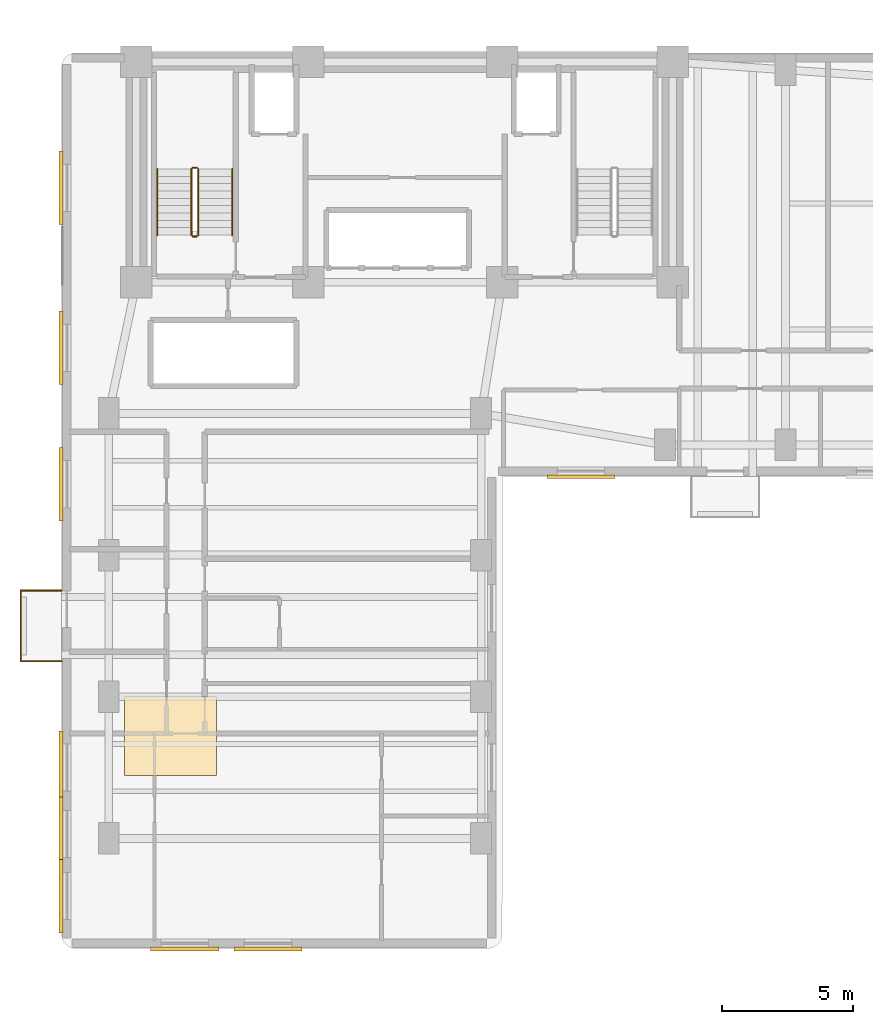
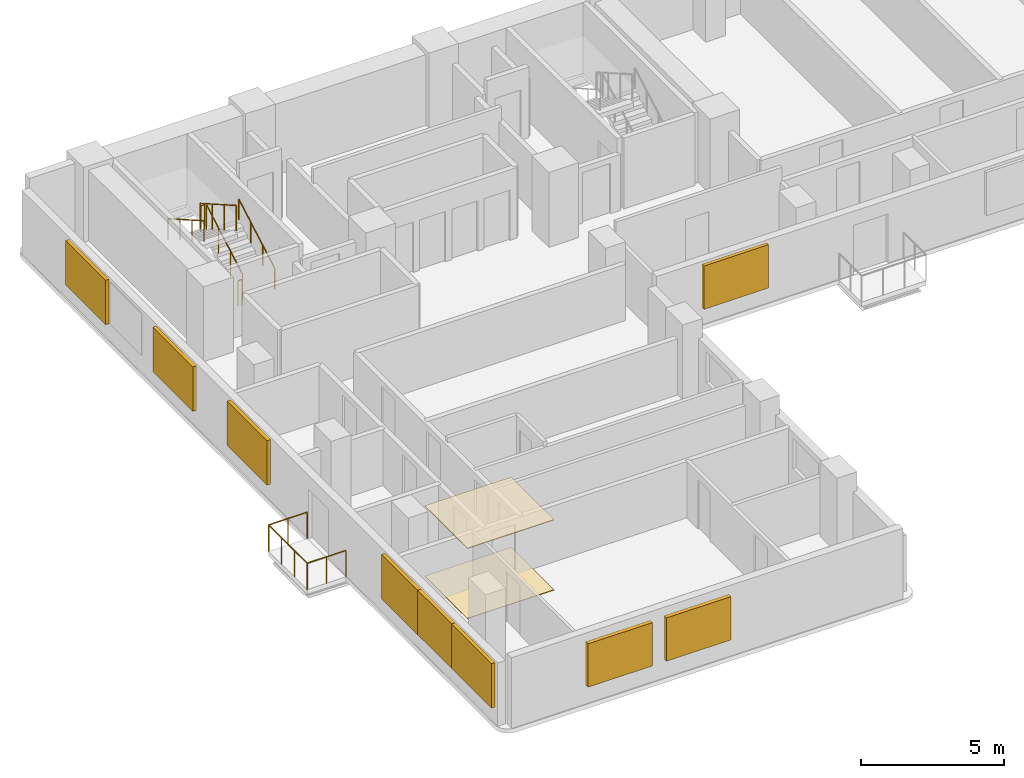
# One storey, part 8 of 11: 9 railings, 9 shading devices, 2 coverings.
"""IFC4 building model written with IfcOpenShell, lengths in metres."""

from ifc_helpers import new_model, si_unit, direction, frame, origin, origin_2d, place, context, subcontext, project, spatial, polyline, rectangle, circle, outline, extrude, material, layer, layer_set, type_object, element, save


model = new_model("IFC4")

# Units and contexts
model_context = context("Model", 3, precision=1e-05, world=origin(), true_north=direction((0.0, 1.0)))
body_context = subcontext(model_context, "Body", "Model", "MODEL_VIEW")
ifc_project = project(units=[si_unit("LENGTHUNIT", "METRE"), si_unit("AREAUNIT", "SQUARE_METRE"), si_unit("VOLUMEUNIT", "CUBIC_METRE"), si_unit("PLANEANGLEUNIT", "RADIAN"), si_unit("MASSUNIT", "GRAM", prefix="KILO")], contexts=[model_context])

# Site, building, storey
site_placement = place(None, origin())
site = spatial("IfcSite", under=ifc_project, at=site_placement, CompositionType="ELEMENT")
building_placement = place(site_placement, origin())
building = spatial("IfcBuilding", under=site, at=building_placement, Name="Kuzgunbayir Cultural Tower", CompositionType="ELEMENT")
storey_placement = place(building_placement, frame((0.0, 0.0, 86.60009765625)))
storey = spatial("IfcBuildingStorey", under=building, at=storey_placement, Name="L24", CompositionType="ELEMENT", Elevation=86.60009765625)

# Coverings
ifc_material_1 = material(Name="Perforated Gypsum Acoustic Tile", Category="gypsum")
ifc_layer_1 = layer(ifc_material_1, 0.02490234375)
ifc_layer_set_1 = layer_set([ifc_layer_1], Name="Perforated Gypsum Acoustic Tile")
covering_type_1 = type_object("IfcCoveringType", Name="COV-CEIL-ACOUSTIC", PredefinedType="CEILING", material=ifc_layer_set_1)
covering_1_placement = place(storey_placement, frame((0.0, 0.0, 2.989990234375)))
element("IfcCovering", 1, at=covering_1_placement, inside=storey, type_object=covering_type_1, Name="L24 Acoustic Soffit Ceiling", PredefinedType="CEILING", context=body_context, shape_type="SweptSolid", body=[
    extrude(outline(polyline([(6.0, 15.0), (9.5, 15.0), (9.5, 18.0), (6.0, 18.0), (6.0, 15.0)])), origin(), (0.0, 0.0, 1.0), 0.030029296875),
])
ifc_material_2 = material(Name="Engineered Anatolian Oak Parquet", Category="wood")
ifc_layer_2 = layer(ifc_material_2, 0.02197265625)
ifc_layer_set_2 = layer_set([ifc_layer_2], Name="Engineered Anatolian Oak Parquet")
covering_type_2 = type_object("IfcCoveringType", Name="COV-FLOOR-OAK", PredefinedType="FLOORING", material=ifc_layer_set_2)
covering_2_placement = place(storey_placement, origin())
element("IfcCovering", 2, at=covering_2_placement, inside=storey, type_object=covering_type_2, Name="L24 Acoustic Floor Finish", PredefinedType="FLOORING", context=body_context, shape_type="SweptSolid", body=[
    extrude(outline(polyline([(6.0, 15.0), (9.5, 15.0), (9.5, 18.0), (6.0, 18.0), (6.0, 15.0)])), origin(), (0.0, 0.0, 1.0), 0.02001953125),
])

# Railings
ifc_material_3 = material(Name="Laminated Glass and Stainless Steel", Category="steel")
ifc_layer_3 = layer(ifc_material_3, 0.080078125)
ifc_layer_set_3 = layer_set([ifc_layer_3], Name="Laminated Glass and Stainless Steel")
railing_type_1 = type_object("IfcRailingType", Name="RLG-BAL-115", PredefinedType="BALUSTRADE", material=ifc_layer_set_3)
railing_1_placement = place(storey_placement, frame((3.60009765625, 19.35009765625, 0.0)))
element("IfcRailing", 3, at=railing_1_placement, inside=storey, type_object=railing_type_1, Name="L24 Balcony Guard BAL-L24-WA2 Segment 1", PredefinedType="BALUSTRADE", context=body_context, shape_type="SweptSolid", body=[
    extrude(circle(Radius=0.02392578125, at=origin_2d()), frame((0.0, 0.0, 1.1259765625), z_axis=(-1.0, 0.0, 0.0), x_axis=(0.0, -1.0, 0.0)), (0.0, 0.0, 1.0), 1.56005859375),
    extrude(circle(Radius=0.02099609375, at=origin_2d()), origin(), (0.0, 0.0, 1.0), 1.101806640625),
    extrude(circle(Radius=0.02099609375, at=origin_2d()), frame((-0.780029296875, 0.0, 0.0)), (0.0, 0.0, 1.0), 1.101806640625),
    extrude(circle(Radius=0.02099609375, at=origin_2d()), frame((-1.56005859375, 0.0, 0.0)), (0.0, 0.0, 1.0), 1.101806640625),
])
railing_2_placement = place(storey_placement, frame((2.0400390625, 19.35009765625, 0.0)))
element("IfcRailing", 4, at=railing_2_placement, inside=storey, type_object=railing_type_1, Name="L24 Balcony Guard BAL-L24-WA2 Segment 2", PredefinedType="BALUSTRADE", context=body_context, shape_type="SweptSolid", body=[
    extrude(circle(Radius=0.02392578125, at=origin_2d()), frame((0.0, 0.0, 1.1259765625), z_axis=(0.0, 1.0, 0.0), x_axis=(-1.0, 0.0, 0.0)), (0.0, 0.0, 1.0), 2.699951171875),
    extrude(circle(Radius=0.02099609375, at=origin_2d()), origin(), (0.0, 0.0, 1.0), 1.101806640625),
    extrude(circle(Radius=0.02099609375, at=origin_2d()), frame((0.0, 0.89990234375, 0.0)), (0.0, 0.0, 1.0), 1.101806640625),
    extrude(circle(Radius=0.02099609375, at=origin_2d()), frame((0.0, 1.800048828125, 0.0)), (0.0, 0.0, 1.0), 1.101806640625),
    extrude(circle(Radius=0.02099609375, at=origin_2d()), frame((0.0, 2.699951171875, 0.0)), (0.0, 0.0, 1.0), 1.101806640625),
])
railing_3_placement = place(storey_placement, frame((2.0400390625, 22.050048828125, 0.0)))
element("IfcRailing", 5, at=railing_3_placement, inside=storey, type_object=railing_type_1, Name="L24 Balcony Guard BAL-L24-WA2 Segment 3", PredefinedType="BALUSTRADE", context=body_context, shape_type="SweptSolid", body=[
    extrude(circle(Radius=0.02392578125, at=origin_2d()), frame((0.0, 0.0, 1.1259765625), z_axis=(1.0, 0.0, 0.0), x_axis=(0.0, 1.0, 0.0)), (0.0, 0.0, 1.0), 1.56005859375),
    extrude(circle(Radius=0.02099609375, at=origin_2d()), origin(), (0.0, 0.0, 1.0), 1.101806640625),
    extrude(circle(Radius=0.02099609375, at=origin_2d()), frame((0.780029296875, 0.0, 0.0)), (0.0, 0.0, 1.0), 1.101806640625),
    extrude(circle(Radius=0.02099609375, at=origin_2d()), frame((1.56005859375, 0.0, 0.0)), (0.0, 0.0, 1.0), 1.101806640625),
])
ifc_material_4 = material(Name="Brushed Stainless Steel", Category="steel")
ifc_layer_4 = layer(ifc_material_4, 0.050048828125)
ifc_layer_set_4 = layer_set([ifc_layer_4], Name="Brushed Stainless Steel")
railing_type_2 = type_object("IfcRailingType", Name="RLG-STAIR-HANDRAIL", PredefinedType="HANDRAIL", material=ifc_layer_set_4)
railing_4_placement = place(storey_placement, frame((10.110107421875, 35.60009765625, 0.159912109375)))
element("IfcRailing", 6, at=railing_4_placement, inside=storey, type_object=railing_type_2, Name="L24 ST-1 stair handrail 1", PredefinedType="HANDRAIL", context=body_context, shape_type="SweptSolid", body=[
    extrude(circle(Radius=0.02392578125, at=origin_2d()), frame((0.0, 0.0, 0.8759765625), z_axis=(0.0, 0.868253494771, 0.496120820787), x_axis=(-1.0, 0.0, 0.0)), (0.0, 0.0, 1.0), 2.90234375),
    extrude(circle(Radius=0.02099609375, at=origin_2d()), origin(), (0.0, 0.0, 1.0), 0.851806640625),
    extrude(circle(Radius=0.02099609375, at=origin_2d()), frame((0.0, 0.840087890625, 0.47998046875)), (0.0, 0.0, 1.0), 0.851806640625),
    extrude(circle(Radius=0.02099609375, at=origin_2d()), frame((0.0, 1.679931640625, 0.9599609375)), (0.0, 0.0, 1.0), 0.851806640625),
    extrude(circle(Radius=0.02099609375, at=origin_2d()), frame((0.0, 2.52001953125, 1.43994140625)), (0.0, 0.0, 1.0), 0.851806640625),
])
railing_5_placement = place(storey_placement, frame((7.25, 38.1201171875, 1.760009765625)))
element("IfcRailing", 7, at=railing_5_placement, inside=storey, type_object=railing_type_2, Name="L24 ST-1 stair handrail 2", PredefinedType="HANDRAIL", context=body_context, shape_type="SweptSolid", body=[
    extrude(circle(Radius=0.02392578125, at=origin_2d()), frame((0.0, 0.0, 0.8759765625), z_axis=(0.0, -0.868253494771, 0.496120820787), x_axis=(1.0, 0.0, 0.0)), (0.0, 0.0, 1.0), 2.90234375),
    extrude(circle(Radius=0.02099609375, at=origin_2d()), origin(), (0.0, 0.0, 1.0), 0.851806640625),
    extrude(circle(Radius=0.02099609375, at=origin_2d()), frame((0.0, -0.840087890625, 0.47998046875)), (0.0, 0.0, 1.0), 0.851806640625),
    extrude(circle(Radius=0.02099609375, at=origin_2d()), frame((0.0, -1.679931640625, 0.9599609375)), (0.0, 0.0, 1.0), 0.851806640625),
    extrude(circle(Radius=0.02099609375, at=origin_2d()), frame((0.0, -2.52001953125, 1.43994140625)), (0.0, 0.0, 1.0), 0.851806640625),
])
ifc_material_5 = material(Name="Painted Steel Balustrade", Category="steel")
ifc_layer_5 = layer(ifc_material_5, 0.06005859375)
ifc_layer_set_5 = layer_set([ifc_layer_5], Name="Painted Steel Balustrade")
railing_type_3 = type_object("IfcRailingType", Name="RLG-WELL-GUARD", PredefinedType="GUARDRAIL", material=ifc_layer_set_5)
railing_6_placement = place(storey_placement, frame((8.81005859375, 35.60009765625, 0.159912109375)))
element("IfcRailing", 8, at=railing_6_placement, inside=storey, type_object=railing_type_3, Name="L24 ST-1 stair guard 1", PredefinedType="GUARDRAIL", context=body_context, shape_type="SweptSolid", body=[
    extrude(circle(Radius=0.02392578125, at=origin_2d()), frame((0.0, 0.0, 1.076171875), z_axis=(0.0, 0.868253494771, 0.496120820787), x_axis=(-1.0, 0.0, 0.0)), (0.0, 0.0, 1.0), 2.90234375),
    extrude(circle(Radius=0.02099609375, at=origin_2d()), origin(), (0.0, 0.0, 1.0), 1.052001953125),
    extrude(circle(Radius=0.02099609375, at=origin_2d()), frame((0.0, 0.840087890625, 0.47998046875)), (0.0, 0.0, 1.0), 1.052001953125),
    extrude(circle(Radius=0.02099609375, at=origin_2d()), frame((0.0, 1.679931640625, 0.9599609375)), (0.0, 0.0, 1.0), 1.052001953125),
    extrude(circle(Radius=0.02099609375, at=origin_2d()), frame((0.0, 2.52001953125, 1.43994140625)), (0.0, 0.0, 1.0), 1.052001953125),
])
railing_7_placement = place(storey_placement, frame((8.760009765625, 38.169921875, 1.599853515625)))
element("IfcRailing", 9, at=railing_7_placement, inside=storey, type_object=railing_type_3, Name="L24 ST-1 stair guard 2", PredefinedType="GUARDRAIL", context=body_context, shape_type="SweptSolid", body=[
    extrude(circle(Radius=0.02392578125, at=origin_2d()), frame((0.0, 0.0, 1.076171875), z_axis=(-1.0, 0.0, 0.0), x_axis=(0.0, -1.0, 0.0)), (0.0, 0.0, 1.0), 0.159912109375),
    extrude(circle(Radius=0.02099609375, at=origin_2d()), origin(), (0.0, 0.0, 1.0), 1.052001953125),
    extrude(circle(Radius=0.02099609375, at=origin_2d()), frame((-0.159912109375, 0.0, 0.0)), (0.0, 0.0, 1.0), 1.052001953125),
])
railing_8_placement = place(storey_placement, frame((8.550048828125, 38.1201171875, 1.760009765625)))
element("IfcRailing", 10, at=railing_8_placement, inside=storey, type_object=railing_type_3, Name="L24 ST-1 stair guard 3", PredefinedType="GUARDRAIL", context=body_context, shape_type="SweptSolid", body=[
    extrude(circle(Radius=0.02392578125, at=origin_2d()), frame((0.0, 0.0, 1.076171875), z_axis=(0.0, -0.868253494771, 0.496120820787), x_axis=(1.0, 0.0, 0.0)), (0.0, 0.0, 1.0), 2.90234375),
    extrude(circle(Radius=0.02099609375, at=origin_2d()), origin(), (0.0, 0.0, 1.0), 1.052001953125),
    extrude(circle(Radius=0.02099609375, at=origin_2d()), frame((0.0, -0.840087890625, 0.47998046875)), (0.0, 0.0, 1.0), 1.052001953125),
    extrude(circle(Radius=0.02099609375, at=origin_2d()), frame((0.0, -1.679931640625, 0.9599609375)), (0.0, 0.0, 1.0), 1.052001953125),
    extrude(circle(Radius=0.02099609375, at=origin_2d()), frame((0.0, -2.52001953125, 1.43994140625)), (0.0, 0.0, 1.0), 1.052001953125),
])
railing_9_placement = place(storey_placement, frame((8.760009765625, 35.550048828125, 0.0)))
element("IfcRailing", 11, at=railing_9_placement, inside=storey, type_object=railing_type_3, Name="L24 ST-1 stair guard 4", PredefinedType="GUARDRAIL", context=body_context, shape_type="SweptSolid", body=[
    extrude(circle(Radius=0.02392578125, at=origin_2d()), frame((0.0, 0.0, 1.076171875), z_axis=(-1.0, 0.0, 0.0), x_axis=(0.0, -1.0, 0.0)), (0.0, 0.0, 1.0), 0.159912109375),
    extrude(circle(Radius=0.02099609375, at=origin_2d()), origin(), (0.0, 0.0, 1.0), 1.052001953125),
    extrude(circle(Radius=0.02099609375, at=origin_2d()), frame((-0.159912109375, 0.0, 0.0)), (0.0, 0.0, 1.0), 1.052001953125),
])

# Shading devices
ifc_material_6 = material(Name="Perforated Bronze-Anodised Aluminium", Category="aluminium")
shading_device_type_1 = type_object("IfcShadingDeviceType", Name="SHD-SOLAR-BRONZE", PredefinedType="JALOUSIE", material=ifc_material_6)
for number, where, z_axis, x_axis, name in (
    (12, (3.580078125, 12.77001953125, 0.699951171875), (0.0, 0.0, 1.0), (1.0, 0.0, 0.0), "L24 Perforated Bronze Solar Screen WAW1"),
    (13, (3.580078125, 10.39990234375, 0.699951171875), (0.0, 0.0, 1.0), (1.0, 0.0, 0.0), "L24 Perforated Bronze Solar Screen WAW6"),
    (14, (3.580078125, 15.300048828125, 0.699951171875), (0.0, 0.0, 1.0), (1.0, 0.0, 0.0), "L24 Perforated Bronze Solar Screen WAW7"),
    (15, (3.580078125, 26.10009765625, 0.699951171875), (0.0, 0.0, 1.0), (1.0, 0.0, 0.0), "L24 Perforated Bronze Solar Screen WAW8"),
    (16, (3.580078125, 31.300048828125, 0.699951171875), (0.0, 0.0, 1.0), (1.0, 0.0, 0.0), "L24 Perforated Bronze Solar Screen WAW9"),
    (17, (3.580078125, 37.39990234375, 0.699951171875), (0.0, 0.0, 1.0), (1.0, 0.0, 0.0), "L24 Perforated Bronze Solar Screen WAW10"),
):
    element("IfcShadingDevice", number, at=place(storey_placement, frame(where, z_axis=z_axis, x_axis=x_axis)), inside=storey, type_object=shading_device_type_1, Name=name, PredefinedType="JALOUSIE", context=body_context, shape_type="SweptSolid", body=[
        extrude(rectangle(XDim=0.139892578125, YDim=2.800048828125, at=origin_2d()), origin(), (0.0, 0.0, 1.0), 1.89990234375),
    ])
shading_device_placement = place(storey_placement, frame((23.39990234375, 26.389892578125, 0.724853515625), z_axis=(0.0, 0.0, 1.0), x_axis=(1.0, 0.0, 0.0)))
element("IfcShadingDevice", 18, at=shading_device_placement, inside=storey, type_object=shading_device_type_1, Name="L24 Solar Screen WBS13", PredefinedType="JALOUSIE", context=body_context, shape_type="SweptSolid", body=[
    extrude(rectangle(XDim=2.60009765625, YDim=0.139892578125, at=origin_2d()), origin(), (0.0, 0.0, 1.0), 1.85009765625),
])
ifc_material_7 = material(Name="Warm Terracotta Ceramic Baguette", Category="masonry")
shading_device_type_2 = type_object("IfcShadingDeviceType", Name="SHD-SOLAR-CERAMIC", PredefinedType="SHUTTER", material=ifc_material_7)
for number, where, z_axis, x_axis, name in (
    (19, (11.469970703125, 8.3798828125, 0.794921875), (0.0, 0.0, 1.0), (1.0, 0.0, 0.0), "L24 Solar Screen WAS2"),
    (20, (8.300048828125, 8.3798828125, 0.794921875), (0.0, 0.0, 1.0), (1.0, 0.0, 0.0), "L24 Solar Screen WAS12"),
):
    element("IfcShadingDevice", number, at=place(storey_placement, frame(where, z_axis=z_axis, x_axis=x_axis)), inside=storey, type_object=shading_device_type_2, Name=name, PredefinedType="SHUTTER", context=body_context, shape_type="SweptSolid", body=[
        extrude(rectangle(XDim=2.60009765625, YDim=0.159912109375, at=origin_2d()), origin(), (0.0, 0.0, 1.0), 1.85009765625),
    ])

save(model, "model.ifc")
